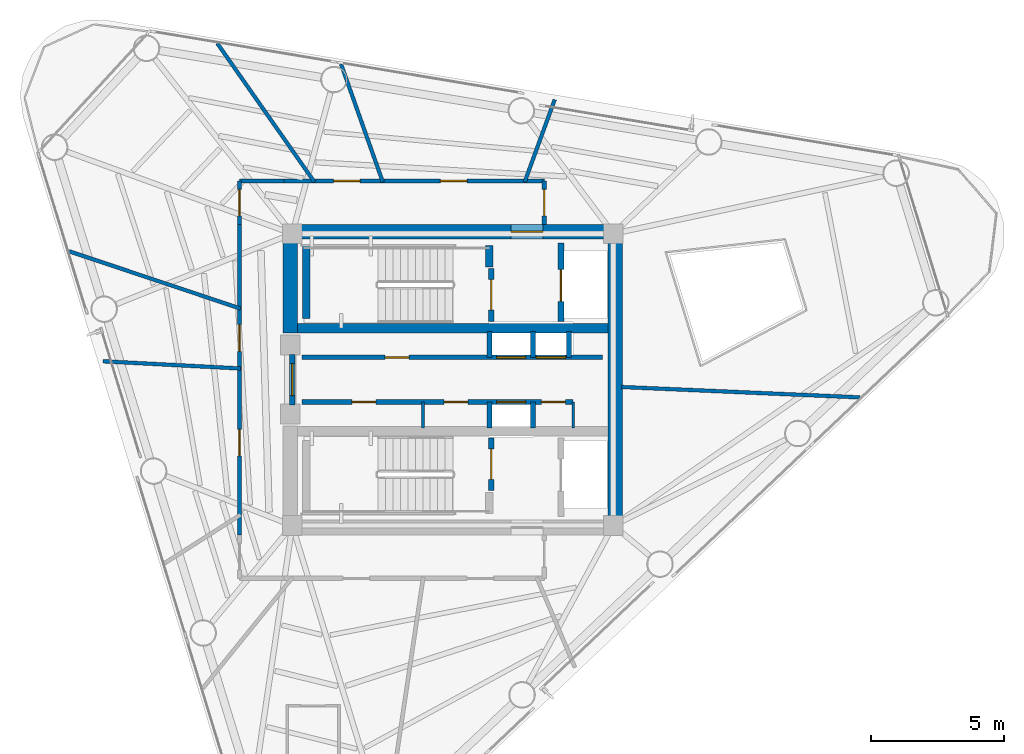
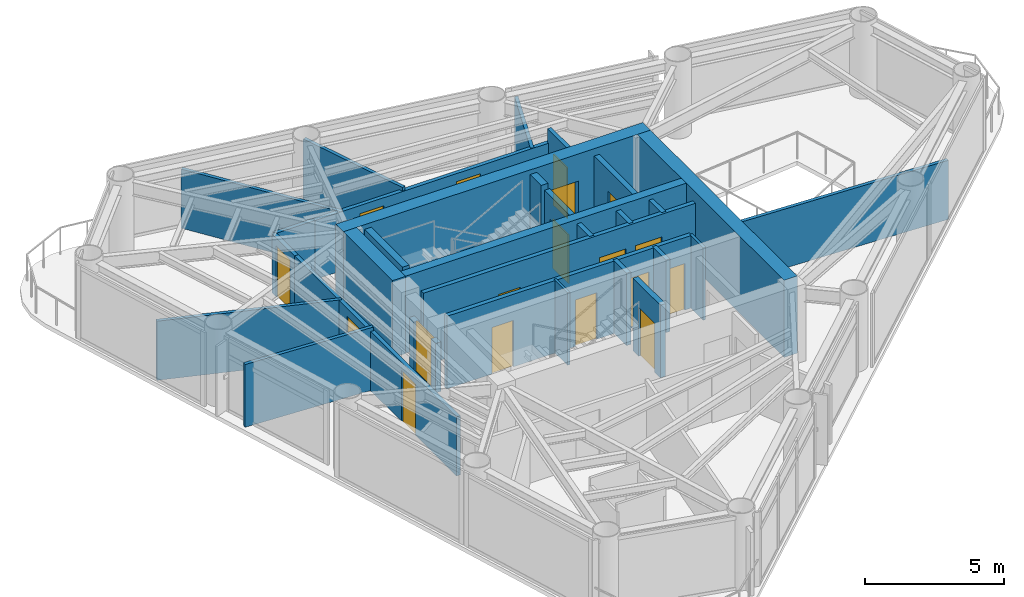
# One storey, part 6 of 9: 30 walls, 18 doors, 18 openings.
"""IFC4 building model written with IfcOpenShell, lengths in metres."""

from ifc_helpers import new_model, si_unit, direction, frame, frame_2d, origin, place, context, subcontext, project, spatial, rectangle, extrude, material, layer, layer_set, type_object, element, fill, save


model = new_model("IFC4")

# Units and contexts
model_context = context("Model", 3, precision=1e-05, world=origin(), true_north=direction((0.0, 1.0)))
body_context = subcontext(model_context, "Body", "Model", "MODEL_VIEW")
ifc_project = project(units=[si_unit("LENGTHUNIT", "METRE"), si_unit("AREAUNIT", "SQUARE_METRE"), si_unit("VOLUMEUNIT", "CUBIC_METRE"), si_unit("PLANEANGLEUNIT", "RADIAN"), si_unit("MASSUNIT", "GRAM", prefix="KILO")], contexts=[model_context])

# Site, building, storey
site_placement = place(None, origin())
site = spatial("IfcSite", under=ifc_project, at=site_placement, CompositionType="ELEMENT")
building_placement = place(site_placement, origin())
building = spatial("IfcBuilding", under=site, at=building_placement, Name="Yunling Apex Tower", CompositionType="ELEMENT")
storey_placement = place(building_placement, frame((0.0, 0.0, 232.050048828125)))
storey = spatial("IfcBuildingStorey", under=building, at=storey_placement, Name="L56", CompositionType="ELEMENT", Elevation=232.050048828125)

# Wall, opening, door
ifc_material_1 = material(Name="Concrete C40", Category="concrete")
ifc_layer_1 = layer(ifc_material_1, 0.550048828125)
ifc_layer_set_1 = layer_set([ifc_layer_1], Name="Concrete C40")
wall_type_1 = type_object("IfcWallType", Name="WL-COR-3", PredefinedType="SHEAR", material=ifc_layer_set_1)
wall_1_placement = place(storey_placement, frame((-6.39990234375, 5.574951171875, 0.0), z_axis=(0.0, 0.0, 1.0), x_axis=(1.0, 0.0, 0.0)))
wall_1 = element("IfcWall", 1, at=wall_1_placement, inside=storey, type_object=wall_type_1, Name="L56 North Core Shear Wall", PredefinedType="SHEAR", context=body_context, shape_type="SweptSolid", body=[
    extrude(rectangle(XDim=12.7998046875, YDim=0.550048828125, at=frame_2d((6.39990234375, 0.0))), origin(), (0.0, 0.0, 1.0), 3.39990234375),
])
opening_1_placement = place(wall_1_placement, frame((8.60009765625, 0.0, 0.0)))
opening_1 = element("IfcOpeningElement", 2, at=opening_1_placement, cuts=wall_1, Name="Opening DR-FFL-1", PredefinedType="OPENING", context=body_context, shape_type="SweptSolid", body=[
    extrude(rectangle(XDim=1.199951171875, YDim=2.199951171875, at=frame_2d((0.60009765625, 1.10009765625))), frame((0.0, 0.28515625, 0.0), z_axis=(0.0, -1.0, 0.0), x_axis=(1.0, 0.0, 0.0)), (0.0, 0.0, 1.0), 0.570068359375),
])
ifc_material_2 = material(Name="Steel Q355B", Category="steel")
door_type_1 = type_object("IfcDoorType", Name="DR-FFL-1", OperationType="NOTDEFINED", PredefinedType="DOOR", material=ifc_material_2)
door_1_placement = place(opening_1_placement, origin())
door_1 = element("IfcDoor", 3, at=door_1_placement, inside=storey, type_object=door_type_1, Name="L56 North Firefighting Lobby Door", OperationType="SINGLE_SWING_LEFT", OverallHeight=2.199951171875, OverallWidth=1.199951171875, PredefinedType="DOOR", context=body_context, shape_type="SweptSolid", body=[
    extrude(rectangle(XDim=1.199951171875, YDim=2.199951171875, at=frame_2d((0.60009765625, 1.10009765625))), frame((0.0, 0.02490234375, 0.0), z_axis=(0.0, -1.0, 0.0), x_axis=(1.0, 0.0, 0.0)), (0.0, 0.0, 1.0), 0.050048828125),
])
fill(opening_1, door_1)

# Walls
wall_2_placement = place(storey_placement, frame((6.125, -5.300048828125, 0.0), z_axis=(0.0, 0.0, 1.0), x_axis=(0.0, 1.0, 0.0)))
element("IfcWall", 4, at=wall_2_placement, inside=storey, type_object=wall_type_1, Name="L56 East Core Shear Wall", PredefinedType="SHEAR", context=body_context, shape_type="SweptSolid", body=[
    extrude(rectangle(XDim=10.60009765625, YDim=0.550048828125, at=frame_2d((5.300048828125, 0.0))), origin(), (0.0, 0.0, 1.0), 3.39990234375),
])
wall_3_placement = place(storey_placement, frame((-6.125, 1.75, 0.0), z_axis=(0.0, 0.0, 1.0), x_axis=(0.0, 1.0, 0.0)))
element("IfcWall", 5, at=wall_3_placement, inside=storey, type_object=wall_type_1, Name="L56 West-North Core Shear Wall", PredefinedType="SHEAR", context=body_context, shape_type="SweptSolid", body=[
    extrude(rectangle(XDim=3.550048828125, YDim=0.550048828125, at=frame_2d((1.77490234375, 0.0))), origin(), (0.0, 0.0, 1.0), 3.39990234375),
])
ifc_layer_2 = layer(ifc_material_1, 0.360107421875)
ifc_layer_set_2 = layer_set([ifc_layer_2], Name="Concrete C40")
wall_type_2 = type_object("IfcWallType", Name="WL-COR-4", PredefinedType="SHEAR", material=ifc_layer_set_2)
wall_4_placement = place(storey_placement, frame((-5.85009765625, 1.93994140625, 0.0), z_axis=(0.0, 0.0, 1.0), x_axis=(1.0, 0.0, 0.0)))
element("IfcWall", 6, at=wall_4_placement, inside=storey, type_object=wall_type_2, Name="L56 North Internal Core Shear Wall", PredefinedType="SHEAR", context=body_context, shape_type="SweptSolid", body=[
    extrude(rectangle(XDim=11.7001953125, YDim=0.360107421875, at=frame_2d((5.85009765625, 0.0))), origin(), (0.0, 0.0, 1.0), 3.39990234375),
])
ifc_layer_3 = layer(ifc_material_1, 0.280029296875)
ifc_layer_set_3 = layer_set([ifc_layer_3], Name="Concrete C40")
wall_type_3 = type_object("IfcWallType", Name="WL-COR-8", PredefinedType="SHEAR", material=ifc_layer_set_3)
wall_5_placement = place(storey_placement, frame((-5.52001953125, 2.300048828125, 0.0), z_axis=(0.0, 0.0, 1.0), x_axis=(0.0, 1.0, 0.0)))
element("IfcWall", 7, at=wall_5_placement, inside=storey, type_object=wall_type_3, Name="L56 ST-1 West Landing Bearing Wall", PredefinedType="SHEAR", context=body_context, shape_type="SweptSolid", body=[
    extrude(rectangle(XDim=2.75, YDim=0.280029296875, at=frame_2d((1.375, 0.0))), origin(), (0.0, 0.0, 1.0), 3.39990234375),
])
wall_6_placement = place(storey_placement, frame((1.3798828125, 4.25, 0.0), z_axis=(0.0, 0.0, 1.0), x_axis=(0.0, 1.0, 0.0)))
element("IfcWall", 8, at=wall_6_placement, inside=storey, type_object=wall_type_3, Name="L56 ST-1 East Landing Bearing Pier", PredefinedType="SHEAR", context=body_context, shape_type="SweptSolid", body=[
    extrude(rectangle(XDim=0.800048828125, YDim=0.280029296875, at=frame_2d((0.39990234375, 0.0))), origin(), (0.0, 0.0, 1.0), 3.39990234375),
])

# Wall, opening, door
ifc_material_3 = material(Name="Gypsum board acoustic partition")
ifc_layer_4 = layer(ifc_material_3, 0.159912109375)
ifc_layer_set_4 = layer_set([ifc_layer_4], Name="Gypsum board acoustic partition")
wall_type_4 = type_object("IfcWallType", Name="WL-PRT-1", PredefinedType="PARTITIONING", material=ifc_layer_set_4)
wall_7_placement = place(storey_placement, frame((-8.0400390625, 5.85009765625, 0.0), z_axis=(0.0, 0.0, 1.0), x_axis=(0.0, 1.0, 0.0)))
wall_7 = element("IfcWall", 9, at=wall_7_placement, inside=storey, type_object=wall_type_4, Name="WL-CORR-L56-01", PredefinedType="PARTITIONING", context=body_context, shape_type="SweptSolid", body=[
    extrude(rectangle(XDim=1.639892578125, YDim=0.159912109375, at=frame_2d((0.81982421875, 0.0))), origin(), (0.0, 0.0, 1.0), 2.60498046875),
])
opening_2_placement = place(wall_7_placement, frame((0.320068359375, 0.0, 0.0)))
opening_2 = element("IfcOpeningElement", 10, at=opening_2_placement, cuts=wall_7, Name="Opening DR-OFF-1", PredefinedType="OPENING", context=body_context, shape_type="SweptSolid", body=[
    extrude(rectangle(XDim=1.0, YDim=2.25, at=frame_2d((0.5, 1.125))), frame((0.0, 0.08984375, 0.0), z_axis=(0.0, -1.0, 0.0), x_axis=(1.0, 0.0, 0.0)), (0.0, 0.0, 1.0), 0.179931640625),
])
ifc_material_4 = material(Name="Bronze anodised aluminium", Category="aluminium")
door_type_2 = type_object("IfcDoorType", Name="DR-OFF-1", OperationType="NOTDEFINED", PredefinedType="DOOR", material=ifc_material_4)
door_2_placement = place(opening_2_placement, origin())
door_2 = element("IfcDoor", 11, at=door_2_placement, inside=storey, type_object=door_type_2, Name="L56 Residents Sky Reading Lounge Door", OperationType="SINGLE_SWING_RIGHT", OverallHeight=2.25, OverallWidth=1.0, PredefinedType="DOOR", context=body_context, shape_type="SweptSolid", body=[
    extrude(rectangle(XDim=1.0, YDim=2.25, at=frame_2d((0.5, 1.125))), frame((0.0, 0.02490234375, 0.0), z_axis=(0.0, -1.0, 0.0), x_axis=(1.0, 0.0, 0.0)), (0.0, 0.0, 1.0), 0.050048828125),
])
fill(opening_2, door_2)

# Wall
wall_8_placement = place(storey_placement, frame((-8.0400390625, 7.489990234375, 0.0), z_axis=(0.0, 0.0, 1.0), x_axis=(1.0, 0.0, 0.0)))
element("IfcWall", 12, at=wall_8_placement, inside=storey, type_object=wall_type_4, Name="WL-CORR-L56-02", PredefinedType="PARTITIONING", context=body_context, shape_type="SweptSolid", body=[
    extrude(rectangle(XDim=1.679931640625, YDim=0.159912109375, at=frame_2d((0.83984375, 0.0))), origin(), (0.0, 0.0, 1.0), 2.60498046875),
])

# Wall, openings, doors
wall_9_placement = place(storey_placement, frame((-6.360107421875, 7.489990234375, 0.0), z_axis=(0.0, 0.0, 1.0), x_axis=(1.0, 0.0, 0.0)))
wall_9 = element("IfcWall", 13, at=wall_9_placement, inside=storey, type_object=wall_type_4, Name="WL-CORR-L56-03", PredefinedType="PARTITIONING", context=body_context, shape_type="SweptSolid", body=[
    extrude(rectangle(XDim=9.81005859375, YDim=0.159912109375, at=frame_2d((4.905029296875, 0.0))), origin(), (0.0, 0.0, 1.0), 2.60498046875),
])
opening_3_placement = place(wall_9_placement, frame((1.866943359375, 0.0, 0.0)))
opening_3 = element("IfcOpeningElement", 14, at=opening_3_placement, cuts=wall_9, Name="Opening DR-OFF-1", PredefinedType="OPENING", context=body_context, shape_type="SweptSolid", body=[
    extrude(rectangle(XDim=1.0, YDim=2.25, at=frame_2d((0.5, 1.125))), frame((0.0, 0.08984375, 0.0), z_axis=(0.0, -1.0, 0.0), x_axis=(1.0, 0.0, 0.0)), (0.0, 0.0, 1.0), 0.179931640625),
])
opening_4_placement = place(wall_9_placement, frame((5.897216796875, 0.0, 0.0)))
opening_4 = element("IfcOpeningElement", 15, at=opening_4_placement, cuts=wall_9, Name="Opening DR-OFF-1", PredefinedType="OPENING", context=body_context, shape_type="SweptSolid", body=[
    extrude(rectangle(XDim=1.0, YDim=2.25, at=frame_2d((0.5, 1.125))), frame((0.0, 0.08984375, 0.0), z_axis=(0.0, -1.0, 0.0), x_axis=(1.0, 0.0, 0.0)), (0.0, 0.0, 1.0), 0.179931640625),
])
door_3_placement = place(opening_3_placement, origin())
door_3 = element("IfcDoor", 16, at=door_3_placement, inside=storey, type_object=door_type_2, Name="L56 Residents Fitness Club Door", OperationType="SINGLE_SWING_LEFT", OverallHeight=2.25, OverallWidth=1.0, PredefinedType="DOOR", context=body_context, shape_type="SweptSolid", body=[
    extrude(rectangle(XDim=1.0, YDim=2.25, at=frame_2d((0.5, 1.125))), frame((0.0, 0.02490234375, 0.0), z_axis=(0.0, -1.0, 0.0), x_axis=(1.0, 0.0, 0.0)), (0.0, 0.0, 1.0), 0.050048828125),
])
fill(opening_3, door_3)
door_4_placement = place(opening_4_placement, origin())
door_4 = element("IfcDoor", 17, at=door_4_placement, inside=storey, type_object=door_type_2, Name="L56 Residents Sky Reading Lounge Door", OperationType="SINGLE_SWING_RIGHT", OverallHeight=2.25, OverallWidth=1.0, PredefinedType="DOOR", context=body_context, shape_type="SweptSolid", body=[
    extrude(rectangle(XDim=1.0, YDim=2.25, at=frame_2d((0.5, 1.125))), frame((0.0, 0.02490234375, 0.0), z_axis=(0.0, -1.0, 0.0), x_axis=(1.0, 0.0, 0.0)), (0.0, 0.0, 1.0), 0.050048828125),
])
fill(opening_4, door_4)

# Wall, opening, door
wall_10_placement = place(storey_placement, frame((3.449951171875, 7.489990234375, 0.0), z_axis=(0.0, 0.0, 1.0), x_axis=(0.0, -1.0, 0.0)))
wall_10 = element("IfcWall", 18, at=wall_10_placement, inside=storey, type_object=wall_type_4, Name="WL-CORR-L56-04", PredefinedType="PARTITIONING", context=body_context, shape_type="SweptSolid", body=[
    extrude(rectangle(XDim=1.639892578125, YDim=0.159912109375, at=frame_2d((0.81982421875, 0.0))), origin(), (0.0, 0.0, 1.0), 3.199951171875),
])
opening_5_placement = place(wall_10_placement, frame((0.320068359375, 0.0, 0.0)))
opening_5 = element("IfcOpeningElement", 19, at=opening_5_placement, cuts=wall_10, Name="Opening DR-OFF-1", PredefinedType="OPENING", context=body_context, shape_type="SweptSolid", body=[
    extrude(rectangle(XDim=1.0, YDim=2.25, at=frame_2d((0.5, 1.125))), frame((0.0, 0.08984375, 0.0), z_axis=(0.0, -1.0, 0.0), x_axis=(1.0, 0.0, 0.0)), (0.0, 0.0, 1.0), 0.179931640625),
])
door_5_placement = place(opening_5_placement, origin())
door_5 = element("IfcDoor", 20, at=door_5_placement, inside=storey, type_object=door_type_2, Name="L56 Residents Fitness Club Door", OperationType="SINGLE_SWING_LEFT", OverallHeight=2.25, OverallWidth=1.0, PredefinedType="DOOR", context=body_context, shape_type="SweptSolid", body=[
    extrude(rectangle(XDim=1.0, YDim=2.25, at=frame_2d((0.5, 1.125))), frame((0.0, 0.02490234375, 0.0), z_axis=(0.0, -1.0, 0.0), x_axis=(1.0, 0.0, 0.0)), (0.0, 0.0, 1.0), 0.050048828125),
])
fill(opening_5, door_5)

# Wall, openings, doors
wall_11_placement = place(storey_placement, frame((-8.0400390625, -5.85009765625, 0.0), z_axis=(0.0, 0.0, 1.0), x_axis=(0.0, 1.0, 0.0)))
wall_11 = element("IfcWall", 21, at=wall_11_placement, inside=storey, type_object=wall_type_4, Name="WL-CORR-L56-09", PredefinedType="PARTITIONING", context=body_context, shape_type="SweptSolid", body=[
    extrude(rectangle(XDim=11.7001953125, YDim=0.159912109375, at=frame_2d((5.85009765625, 0.0))), origin(), (0.0, 0.0, 1.0), 2.60498046875),
])
opening_6_placement = place(wall_11_placement, frame((2.97705078125, 0.0, 0.0)))
opening_6 = element("IfcOpeningElement", 22, at=opening_6_placement, cuts=wall_11, Name="Opening DR-OFF-1", PredefinedType="OPENING", context=body_context, shape_type="SweptSolid", body=[
    extrude(rectangle(XDim=1.0, YDim=2.25, at=frame_2d((0.5, 1.125))), frame((0.0, 0.08984375, 0.0), z_axis=(0.0, -1.0, 0.0), x_axis=(1.0, 0.0, 0.0)), (0.0, 0.0, 1.0), 0.179931640625),
])
opening_7_placement = place(wall_11_placement, frame((6.91943359375, 0.0, 0.0)))
opening_7 = element("IfcOpeningElement", 23, at=opening_7_placement, cuts=wall_11, Name="Opening DR-OFF-1", PredefinedType="OPENING", context=body_context, shape_type="SweptSolid", body=[
    extrude(rectangle(XDim=1.0, YDim=2.25, at=frame_2d((0.5, 1.125))), frame((0.0, 0.08984375, 0.0), z_axis=(0.0, -1.0, 0.0), x_axis=(1.0, 0.0, 0.0)), (0.0, 0.0, 1.0), 0.179931640625),
])
door_6_placement = place(opening_6_placement, origin())
door_6 = element("IfcDoor", 24, at=door_6_placement, inside=storey, type_object=door_type_2, Name="L56 Residents Sky Reading Lounge Door", OperationType="SINGLE_SWING_RIGHT", OverallHeight=2.25, OverallWidth=1.0, PredefinedType="DOOR", context=body_context, shape_type="SweptSolid", body=[
    extrude(rectangle(XDim=1.0, YDim=2.25, at=frame_2d((0.5, 1.125))), frame((0.0, 0.02490234375, 0.0), z_axis=(0.0, -1.0, 0.0), x_axis=(1.0, 0.0, 0.0)), (0.0, 0.0, 1.0), 0.050048828125),
])
fill(opening_6, door_6)
door_7_placement = place(opening_7_placement, origin())
door_7 = element("IfcDoor", 25, at=door_7_placement, inside=storey, type_object=door_type_2, Name="L56 Residents Fitness Club Door", OperationType="SINGLE_SWING_LEFT", OverallHeight=2.25, OverallWidth=1.0, PredefinedType="DOOR", context=body_context, shape_type="SweptSolid", body=[
    extrude(rectangle(XDim=1.0, YDim=2.25, at=frame_2d((0.5, 1.125))), frame((0.0, 0.02490234375, 0.0), z_axis=(0.0, -1.0, 0.0), x_axis=(1.0, 0.0, 0.0)), (0.0, 0.0, 1.0), 0.050048828125),
])
fill(opening_7, door_7)

# Walls
ifc_layer_5 = layer(ifc_material_3, 0.139892578125)
ifc_layer_set_5 = layer_set([ifc_layer_5], Name="Gypsum board acoustic partition")
wall_type_5 = type_object("IfcWallType", Name="WL-PRT-2", PredefinedType="PARTITIONING", material=ifc_layer_set_5)
wall_12_placement = place(storey_placement, frame((6.360107421875, -0.277587890625, 0.0), z_axis=(0.0, 0.0, 1.0), x_axis=(0.99904773846, -0.043630451279, 0.0)))
element("IfcWall", 26, at=wall_12_placement, inside=storey, type_object=wall_type_5, Name="WL-RAD-L56-01", PredefinedType="PARTITIONING", context=body_context, shape_type="SweptSolid", body=[
    extrude(rectangle(XDim=8.9921875, YDim=0.139892578125, at=frame_2d((4.49609375, 0.0))), origin(), (0.0, 0.0, 1.0), 2.60498046875),
])
wall_13_placement = place(storey_placement, frame((2.711669921875, 7.449951171875, 0.0), z_axis=(0.0, 0.0, 1.0), x_axis=(0.341974588874, 0.9397092, 0.0)))
element("IfcWall", 27, at=wall_13_placement, inside=storey, type_object=wall_type_5, Name="WL-RAD-L56-02", PredefinedType="PARTITIONING", context=body_context, shape_type="SweptSolid", body=[
    extrude(rectangle(XDim=3.3017578125, YDim=0.139892578125, at=frame_2d((1.65087890625, 0.0))), origin(), (0.0, 0.0, 1.0), 2.60498046875),
])
wall_14_placement = place(storey_placement, frame((-2.63818359375, 7.449951171875, 0.0), z_axis=(0.0, 0.0, 1.0), x_axis=(-0.333819345572, 0.942637069355, 0.0)))
element("IfcWall", 28, at=wall_14_placement, inside=storey, type_object=wall_type_5, Name="WL-RAD-L56-03", PredefinedType="PARTITIONING", context=body_context, shape_type="SweptSolid", body=[
    extrude(rectangle(XDim=4.715087890625, YDim=0.139892578125, at=frame_2d((2.357421875, 0.0))), origin(), (0.0, 0.0, 1.0), 2.764892578125),
])
wall_15_placement = place(storey_placement, frame((-5.216552734375, 7.449951171875, 0.0), z_axis=(0.0, 0.0, 1.0), x_axis=(-0.573578024676, 0.819150932129, 0.0)))
element("IfcWall", 29, at=wall_15_placement, inside=storey, type_object=wall_type_5, Name="WL-RAD-L56-04", PredefinedType="PARTITIONING", context=body_context, shape_type="SweptSolid", body=[
    extrude(rectangle(XDim=6.37353515625, YDim=0.139892578125, at=frame_2d((3.186767578125, 0.0))), origin(), (0.0, 0.0, 1.0), 2.60498046875),
])
wall_16_placement = place(storey_placement, frame((-8.0, 2.6767578125, 0.0), z_axis=(0.0, 0.0, 1.0), x_axis=(-0.948324112853, 0.317303288639, 0.0)))
element("IfcWall", 30, at=wall_16_placement, inside=storey, type_object=wall_type_5, Name="WL-RAD-L56-05", PredefinedType="PARTITIONING", context=body_context, shape_type="SweptSolid", body=[
    extrude(rectangle(XDim=6.80859375, YDim=0.139892578125, at=frame_2d((3.404296875, 0.0))), origin(), (0.0, 0.0, 1.0), 2.60498046875),
])
wall_17_placement = place(storey_placement, frame((-8.0, 0.419189453125, 0.0), z_axis=(0.0, 0.0, 1.0), x_axis=(-0.998629485047, 0.052336904702, 0.0)))
element("IfcWall", 31, at=wall_17_placement, inside=storey, type_object=wall_type_5, Name="WL-RAD-L56-06", PredefinedType="PARTITIONING", context=body_context, shape_type="SweptSolid", body=[
    extrude(rectangle(XDim=5.196533203125, YDim=0.139892578125, at=frame_2d((2.59814453125, 0.0))), origin(), (0.0, 0.0, 1.0), 2.764892578125),
])
ifc_layer_6 = layer(ifc_material_3, 0.10009765625)
ifc_layer_set_6 = layer_set([ifc_layer_6], Name="Gypsum board acoustic partition")
wall_type_6 = type_object("IfcWallType", Name="WL-PRT-4", PredefinedType="PARTITIONING", material=ifc_layer_set_6)
for number, where, z_axis, x_axis, name in (
    (32, (-1.1201171875, -1.820068359375, 0.0), (0.0, 0.0, 1.0), (0.0, 1.0, 0.0), "WL-RECLMA-S-L56"),
    (33, (4.5400390625, -1.820068359375, 0.0), (0.0, 0.0, 1.0), (0.0, 1.0, 0.0), "WL-KASE-E-L56"),
):
    element("IfcWall", number, at=place(storey_placement, frame(where, z_axis=z_axis, x_axis=x_axis)), inside=storey, type_object=wall_type_6, Name=name, PredefinedType="PARTITIONING", context=body_context, shape_type="SweptSolid", body=[
        extrude(rectangle(XDim=0.97998046875, YDim=0.10009765625, at=frame_2d((0.489990234375, 0.0))), origin(), (0.0, 0.0, 1.0), 3.199951171875),
    ])

# Wall, opening, door
ifc_material_5 = material(Name="Autoclaved aerated concrete masonry", Category="masonry")
ifc_layer_7 = layer(ifc_material_5, 0.219970703125)
ifc_layer_set_7 = layer_set([ifc_layer_7], Name="Autoclaved aerated concrete masonry")
wall_type_7 = type_object("IfcWallType", Name="WL-SHF-1", PredefinedType="PLUMBINGWALL", material=ifc_layer_set_7)
wall_18_placement = place(storey_placement, frame((-6.050048828125, -0.949951171875, 0.0), z_axis=(0.0, 0.0, 1.0), x_axis=(0.0, 1.0, 0.0)))
wall_18 = element("IfcWall", 34, at=wall_18_placement, inside=storey, type_object=wall_type_7, Name="WL-COR-WPORT-L56", PredefinedType="PLUMBINGWALL", context=body_context, shape_type="SweptSolid", body=[
    extrude(rectangle(XDim=1.89990234375, YDim=0.219970703125, at=frame_2d((0.949951171875, 0.0))), origin(), (0.0, 0.0, 1.0), 2.179931640625),
])
opening_8_placement = place(wall_18_placement, frame((0.35009765625, 0.0, 0.0)))
opening_8 = element("IfcOpeningElement", 35, at=opening_8_placement, cuts=wall_18, Name="Opening DR-FFL-1", PredefinedType="OPENING", context=body_context, shape_type="SweptSolid", body=[
    extrude(rectangle(XDim=1.199951171875, YDim=2.199951171875, at=frame_2d((0.60009765625, 1.10009765625))), frame((0.0, 0.1201171875, 0.0), z_axis=(0.0, -1.0, 0.0), x_axis=(1.0, 0.0, 0.0)), (0.0, 0.0, 1.0), 0.239990234375),
])
door_8_placement = place(opening_8_placement, origin())
door_8 = element("IfcDoor", 36, at=door_8_placement, inside=storey, type_object=door_type_1, Name="L56 Passenger Lift Lobby Entrance Door", OperationType="SINGLE_SWING_RIGHT", OverallHeight=2.199951171875, OverallWidth=1.199951171875, PredefinedType="DOOR", context=body_context, shape_type="SweptSolid", body=[
    extrude(rectangle(XDim=1.199951171875, YDim=2.199951171875, at=frame_2d((0.60009765625, 1.10009765625))), frame((0.0, 0.02490234375, 0.0), z_axis=(0.0, -1.0, 0.0), x_axis=(1.0, 0.0, 0.0)), (0.0, 0.0, 1.0), 0.050048828125),
])
fill(opening_8, door_8)

wall_19_placement = place(storey_placement, frame((1.449951171875, 2.199951171875, 0.0), z_axis=(0.0, 0.0, 1.0), x_axis=(0.0, 1.0, 0.0)))
wall_19 = element("IfcWall", 37, at=wall_19_placement, inside=storey, type_object=wall_type_7, Name="WL-ST1-E-L56", PredefinedType="PLUMBINGWALL", context=body_context, shape_type="SweptSolid", body=[
    extrude(rectangle(XDim=1.97998046875, YDim=0.219970703125, at=frame_2d((0.989990234375, 0.0))), origin(), (0.0, 0.0, 1.0), 3.199951171875),
])
opening_9_placement = place(wall_19_placement, frame((0.419921875, 0.0, 0.0)))
opening_9 = element("IfcOpeningElement", 38, at=opening_9_placement, cuts=wall_19, Name="Opening DR-ST-1", PredefinedType="OPENING", context=body_context, shape_type="SweptSolid", body=[
    extrude(rectangle(XDim=1.14990234375, YDim=2.14990234375, at=frame_2d((0.574951171875, 1.074951171875))), frame((0.0, 0.1201171875, 0.0), z_axis=(0.0, -1.0, 0.0), x_axis=(1.0, 0.0, 0.0)), (0.0, 0.0, 1.0), 0.239990234375),
])
door_type_3 = type_object("IfcDoorType", Name="DR-ST-1", OperationType="NOTDEFINED", PredefinedType="DOOR", material=ifc_material_2)
door_9_placement = place(opening_9_placement, origin())
door_9 = element("IfcDoor", 39, at=door_9_placement, inside=storey, type_object=door_type_3, Name="L56 Stair ST-1 Fire Door", OperationType="SINGLE_SWING_LEFT", OverallHeight=2.14990234375, OverallWidth=1.14990234375, PredefinedType="DOOR", context=body_context, shape_type="SweptSolid", body=[
    extrude(rectangle(XDim=1.14990234375, YDim=2.14990234375, at=frame_2d((0.574951171875, 1.074951171875))), frame((0.0, 0.02490234375, 0.0), z_axis=(0.0, -1.0, 0.0), x_axis=(1.0, 0.0, 0.0)), (0.0, 0.0, 1.0), 0.050048828125),
])
fill(opening_9, door_9)

wall_20_placement = place(storey_placement, frame((4.080078125, 2.199951171875, 0.0), z_axis=(0.0, 0.0, 1.0), x_axis=(0.0, 1.0, 0.0)))
wall_20 = element("IfcWall", 40, at=wall_20_placement, inside=storey, type_object=wall_type_7, Name="WL-FFL1-W-L56", PredefinedType="PLUMBINGWALL", context=body_context, shape_type="SweptSolid", body=[
    extrude(rectangle(XDim=2.949951171875, YDim=0.219970703125, at=frame_2d((1.47509765625, 0.0))), origin(), (0.0, 0.0, 1.0), 3.199951171875),
])
opening_10_placement = place(wall_20_placement, frame((0.75, 0.0, 0.0)))
opening_10 = element("IfcOpeningElement", 41, at=opening_10_placement, cuts=wall_20, Name="Opening LD-FFL-1", PredefinedType="OPENING", context=body_context, shape_type="SweptSolid", body=[
    extrude(rectangle(XDim=1.199951171875, YDim=2.25, at=frame_2d((0.60009765625, 1.125))), frame((0.0, 0.1201171875, 0.0), z_axis=(0.0, -1.0, 0.0), x_axis=(1.0, 0.0, 0.0)), (0.0, 0.0, 1.0), 0.239990234375),
])
door_type_4 = type_object("IfcDoorType", Name="LD-FFL-1", OperationType="DOUBLE_DOOR_SLIDING", PredefinedType="DOOR", material=ifc_material_2)
door_10_placement = place(opening_10_placement, origin())
door_10 = element("IfcDoor", 42, at=door_10_placement, inside=storey, type_object=door_type_4, Name="L56 Lift FFL-1 Landing Door", OperationType="DOUBLE_DOOR_SLIDING", OverallHeight=2.25, OverallWidth=1.199951171875, PredefinedType="DOOR", context=body_context, shape_type="SweptSolid", body=[
    extrude(rectangle(XDim=1.199951171875, YDim=2.25, at=frame_2d((0.60009765625, 1.125))), frame((0.0, 0.02490234375, 0.0), z_axis=(0.0, -1.0, 0.0), x_axis=(1.0, 0.0, 0.0)), (0.0, 0.0, 1.0), 0.050048828125),
])
fill(opening_10, door_10)

wall_21_placement = place(storey_placement, frame((1.449951171875, -4.179931640625, 0.0), z_axis=(0.0, 0.0, 1.0), x_axis=(0.0, 1.0, 0.0)))
wall_21 = element("IfcWall", 43, at=wall_21_placement, inside=storey, type_object=wall_type_7, Name="WL-ST2-E-L56", PredefinedType="PLUMBINGWALL", context=body_context, shape_type="SweptSolid", body=[
    extrude(rectangle(XDim=1.97998046875, YDim=0.219970703125, at=frame_2d((0.989990234375, 0.0))), origin(), (0.0, 0.0, 1.0), 3.199951171875),
])
opening_11_placement = place(wall_21_placement, frame((0.419921875, 0.0, 0.0)))
opening_11 = element("IfcOpeningElement", 44, at=opening_11_placement, cuts=wall_21, Name="Opening DR-ST-1", PredefinedType="OPENING", context=body_context, shape_type="SweptSolid", body=[
    extrude(rectangle(XDim=1.14990234375, YDim=2.14990234375, at=frame_2d((0.574951171875, 1.074951171875))), frame((0.0, 0.1201171875, 0.0), z_axis=(0.0, -1.0, 0.0), x_axis=(1.0, 0.0, 0.0)), (0.0, 0.0, 1.0), 0.239990234375),
])
door_11_placement = place(opening_11_placement, origin())
door_11 = element("IfcDoor", 45, at=door_11_placement, inside=storey, type_object=door_type_3, Name="L56 Stair ST-2 Fire Door", OperationType="SINGLE_SWING_RIGHT", OverallHeight=2.14990234375, OverallWidth=1.14990234375, PredefinedType="DOOR", context=body_context, shape_type="SweptSolid", body=[
    extrude(rectangle(XDim=1.14990234375, YDim=2.14990234375, at=frame_2d((0.574951171875, 1.074951171875))), frame((0.0, 0.02490234375, 0.0), z_axis=(0.0, -1.0, 0.0), x_axis=(1.0, 0.0, 0.0)), (0.0, 0.0, 1.0), 0.050048828125),
])
fill(opening_11, door_11)

# Walls
ifc_layer_8 = layer(ifc_material_5, 0.179931640625)
ifc_layer_set_8 = layer_set([ifc_layer_8], Name="Autoclaved aerated concrete masonry")
wall_type_8 = type_object("IfcWallType", Name="WL-SHF-2", PredefinedType="PLUMBINGWALL", material=ifc_layer_set_8)
for number, where, z_axis, x_axis, name in (
    (46, (1.3798828125, 0.840087890625, 0.0), (0.0, 0.0, 1.0), (0.0, 1.0, 0.0), "WL-BNK-MH-N-L56"),
    (47, (1.3798828125, -1.820068359375, 0.0), (0.0, 0.0, 1.0), (0.0, 1.0, 0.0), "WL-BNK-MH-S-L56"),
    (48, (3.02001953125, 0.840087890625, 0.0), (0.0, 0.0, 1.0), (0.0, 1.0, 0.0), "WL-DIV-H13-L56"),
    (49, (4.3798828125, 0.840087890625, 0.0), (0.0, 0.0, 1.0), (0.0, 1.0, 0.0), "WL-END-H3E-L56"),
    (50, (3.02001953125, -1.820068359375, 0.0), (0.0, 0.0, 1.0), (0.0, 1.0, 0.0), "WL-END-H2E-L56"),
):
    element("IfcWall", number, at=place(storey_placement, frame(where, z_axis=z_axis, x_axis=x_axis)), inside=storey, type_object=wall_type_8, Name=name, PredefinedType="PLUMBINGWALL", context=body_context, shape_type="SweptSolid", body=[
        extrude(rectangle(XDim=0.97998046875, YDim=0.179931640625, at=frame_2d((0.489990234375, 0.0))), origin(), (0.0, 0.0, 1.0), 3.199951171875),
    ])

# Wall, openings, doors
wall_22_placement = place(storey_placement, frame((-5.679931640625, 0.840087890625, 0.0), z_axis=(0.0, 0.0, 1.0), x_axis=(1.0, 0.0, 0.0)))
wall_22 = element("IfcWall", 51, at=wall_22_placement, inside=storey, type_object=wall_type_8, Name="WL-LOB-N-L56", PredefinedType="PLUMBINGWALL", context=body_context, shape_type="SweptSolid", body=[
    extrude(rectangle(XDim=11.329833984375, YDim=0.179931640625, at=frame_2d((5.6650390625, 0.0))), origin(), (0.0, 0.0, 1.0), 3.199951171875),
])
opening_12_placement = place(wall_22_placement, frame((3.1298828125, 0.0, 0.0)))
opening_12 = element("IfcOpeningElement", 52, at=opening_12_placement, cuts=wall_22, Name="Opening DR-SHF-1", PredefinedType="OPENING", context=body_context, shape_type="SweptSolid", body=[
    extrude(rectangle(XDim=0.89990234375, YDim=2.050048828125, at=frame_2d((0.449951171875, 1.02490234375))), frame((0.0, 0.10009765625, 0.0), z_axis=(0.0, -1.0, 0.0), x_axis=(1.0, 0.0, 0.0)), (0.0, 0.0, 1.0), 0.199951171875),
])
opening_13_placement = place(wall_22_placement, frame((7.330078125, 0.0, 0.0)))
opening_13 = element("IfcOpeningElement", 53, at=opening_13_placement, cuts=wall_22, Name="Opening LD-PAS-1", PredefinedType="OPENING", context=body_context, shape_type="SweptSolid", body=[
    extrude(rectangle(XDim=1.10009765625, YDim=2.199951171875, at=frame_2d((0.550048828125, 1.10009765625))), frame((0.0, 0.10009765625, 0.0), z_axis=(0.0, -1.0, 0.0), x_axis=(1.0, 0.0, 0.0)), (0.0, 0.0, 1.0), 0.199951171875),
])
opening_14_placement = place(wall_22_placement, frame((8.830078125, 0.0, 0.0)))
opening_14 = element("IfcOpeningElement", 54, at=opening_14_placement, cuts=wall_22, Name="Opening LD-PAS-1", PredefinedType="OPENING", context=body_context, shape_type="SweptSolid", body=[
    extrude(rectangle(XDim=1.10009765625, YDim=2.199951171875, at=frame_2d((0.550048828125, 1.10009765625))), frame((0.0, 0.10009765625, 0.0), z_axis=(0.0, -1.0, 0.0), x_axis=(1.0, 0.0, 0.0)), (0.0, 0.0, 1.0), 0.199951171875),
])
door_type_5 = type_object("IfcDoorType", Name="DR-SHF-1", OperationType="NOTDEFINED", PredefinedType="DOOR", material=ifc_material_2)
door_12_placement = place(opening_12_placement, origin())
door_12 = element("IfcDoor", 55, at=door_12_placement, inside=storey, type_object=door_type_5, Name="L56 Archive Store Door", OperationType="SINGLE_SWING_LEFT", OverallHeight=2.050048828125, OverallWidth=0.89990234375, PredefinedType="DOOR", context=body_context, shape_type="SweptSolid", body=[
    extrude(rectangle(XDim=0.89990234375, YDim=2.050048828125, at=frame_2d((0.449951171875, 1.02490234375))), frame((0.0, 0.02490234375, 0.0), z_axis=(0.0, -1.0, 0.0), x_axis=(1.0, 0.0, 0.0)), (0.0, 0.0, 1.0), 0.050048828125),
])
fill(opening_12, door_12)
ifc_material_6 = material(Name="Silver anodised aluminium", Category="aluminium")
door_type_6 = type_object("IfcDoorType", Name="LD-PAS-1", OperationType="DOUBLE_DOOR_SLIDING", PredefinedType="DOOR", material=ifc_material_6)
door_13_placement = place(opening_13_placement, origin())
door_13 = element("IfcDoor", 56, at=door_13_placement, inside=storey, type_object=door_type_6, Name="L56 Lift PL-H1 Landing Door", OperationType="DOUBLE_DOOR_SLIDING", OverallHeight=2.199951171875, OverallWidth=1.10009765625, PredefinedType="DOOR", context=body_context, shape_type="SweptSolid", body=[
    extrude(rectangle(XDim=1.10009765625, YDim=2.199951171875, at=frame_2d((0.550048828125, 1.10009765625))), frame((0.0, 0.02490234375, 0.0), z_axis=(0.0, -1.0, 0.0), x_axis=(1.0, 0.0, 0.0)), (0.0, 0.0, 1.0), 0.050048828125),
])
fill(opening_13, door_13)
door_14_placement = place(opening_14_placement, origin())
door_14 = element("IfcDoor", 57, at=door_14_placement, inside=storey, type_object=door_type_6, Name="L56 Lift PL-H3 Landing Door", OperationType="DOUBLE_DOOR_SLIDING", OverallHeight=2.199951171875, OverallWidth=1.10009765625, PredefinedType="DOOR", context=body_context, shape_type="SweptSolid", body=[
    extrude(rectangle(XDim=1.10009765625, YDim=2.199951171875, at=frame_2d((0.550048828125, 1.10009765625))), frame((0.0, 0.02490234375, 0.0), z_axis=(0.0, -1.0, 0.0), x_axis=(1.0, 0.0, 0.0)), (0.0, 0.0, 1.0), 0.050048828125),
])
fill(opening_14, door_14)

wall_23_placement = place(storey_placement, frame((-5.679931640625, -0.840087890625, 0.0), z_axis=(0.0, 0.0, 1.0), x_axis=(1.0, 0.0, 0.0)))
wall_23 = element("IfcWall", 58, at=wall_23_placement, inside=storey, type_object=wall_type_8, Name="WL-LOB-S-L56", PredefinedType="PLUMBINGWALL", context=body_context, shape_type="SweptSolid", body=[
    extrude(rectangle(XDim=10.219970703125, YDim=0.179931640625, at=frame_2d((5.10986328125, 0.0))), origin(), (0.0, 0.0, 1.0), 3.199951171875),
])
opening_15_placement = place(wall_23_placement, frame((1.8798828125, 0.0, 0.0)))
opening_15 = element("IfcOpeningElement", 59, at=opening_15_placement, cuts=wall_23, Name="Opening DR-SHF-1", PredefinedType="OPENING", context=body_context, shape_type="SweptSolid", body=[
    extrude(rectangle(XDim=0.89990234375, YDim=2.050048828125, at=frame_2d((0.449951171875, 1.02490234375))), frame((0.0, 0.10009765625, 0.0), z_axis=(0.0, -1.0, 0.0), x_axis=(1.0, 0.0, 0.0)), (0.0, 0.0, 1.0), 0.199951171875),
])
opening_16_placement = place(wall_23_placement, frame((5.35009765625, 0.0, 0.0)))
opening_16 = element("IfcOpeningElement", 60, at=opening_16_placement, cuts=wall_23, Name="Opening DR-SHF-1", PredefinedType="OPENING", context=body_context, shape_type="SweptSolid", body=[
    extrude(rectangle(XDim=0.89990234375, YDim=2.050048828125, at=frame_2d((0.449951171875, 1.02490234375))), frame((0.0, 0.10009765625, 0.0), z_axis=(0.0, -1.0, 0.0), x_axis=(1.0, 0.0, 0.0)), (0.0, 0.0, 1.0), 0.199951171875),
])
opening_17_placement = place(wall_23_placement, frame((7.330078125, 0.0, 0.0)))
opening_17 = element("IfcOpeningElement", 61, at=opening_17_placement, cuts=wall_23, Name="Opening LD-PAS-1", PredefinedType="OPENING", context=body_context, shape_type="SweptSolid", body=[
    extrude(rectangle(XDim=1.10009765625, YDim=2.199951171875, at=frame_2d((0.550048828125, 1.10009765625))), frame((0.0, 0.10009765625, 0.0), z_axis=(0.0, -1.0, 0.0), x_axis=(1.0, 0.0, 0.0)), (0.0, 0.0, 1.0), 0.199951171875),
])
opening_18_placement = place(wall_23_placement, frame((9.02001953125, 0.0, 0.0)))
opening_18 = element("IfcOpeningElement", 62, at=opening_18_placement, cuts=wall_23, Name="Opening DR-SHF-1", PredefinedType="OPENING", context=body_context, shape_type="SweptSolid", body=[
    extrude(rectangle(XDim=0.89990234375, YDim=2.050048828125, at=frame_2d((0.449951171875, 1.02490234375))), frame((0.0, 0.10009765625, 0.0), z_axis=(0.0, -1.0, 0.0), x_axis=(1.0, 0.0, 0.0)), (0.0, 0.0, 1.0), 0.199951171875),
])
door_15_placement = place(opening_15_placement, origin())
door_15 = element("IfcDoor", 63, at=door_15_placement, inside=storey, type_object=door_type_5, Name="L56 MEP Plant Door", OperationType="SINGLE_SWING_RIGHT", OverallHeight=2.050048828125, OverallWidth=0.89990234375, PredefinedType="DOOR", context=body_context, shape_type="SweptSolid", body=[
    extrude(rectangle(XDim=0.89990234375, YDim=2.050048828125, at=frame_2d((0.449951171875, 1.02490234375))), frame((0.0, 0.02490234375, 0.0), z_axis=(0.0, -1.0, 0.0), x_axis=(1.0, 0.0, 0.0)), (0.0, 0.0, 1.0), 0.050048828125),
])
fill(opening_15, door_15)
door_16_placement = place(opening_16_placement, origin())
door_16 = element("IfcDoor", 64, at=door_16_placement, inside=storey, type_object=door_type_5, Name="L56 Cleaners Store Door", OperationType="SINGLE_SWING_LEFT", OverallHeight=2.050048828125, OverallWidth=0.89990234375, PredefinedType="DOOR", context=body_context, shape_type="SweptSolid", body=[
    extrude(rectangle(XDim=0.89990234375, YDim=2.050048828125, at=frame_2d((0.449951171875, 1.02490234375))), frame((0.0, 0.02490234375, 0.0), z_axis=(0.0, -1.0, 0.0), x_axis=(1.0, 0.0, 0.0)), (0.0, 0.0, 1.0), 0.050048828125),
])
fill(opening_16, door_16)
door_17_placement = place(opening_18_placement, origin())
door_17 = element("IfcDoor", 65, at=door_17_placement, inside=storey, type_object=door_type_5, Name="L56 Core Electrical Room Door", OperationType="SINGLE_SWING_RIGHT", OverallHeight=2.050048828125, OverallWidth=0.89990234375, PredefinedType="DOOR", context=body_context, shape_type="SweptSolid", body=[
    extrude(rectangle(XDim=0.89990234375, YDim=2.050048828125, at=frame_2d((0.449951171875, 1.02490234375))), frame((0.0, 0.02490234375, 0.0), z_axis=(0.0, -1.0, 0.0), x_axis=(1.0, 0.0, 0.0)), (0.0, 0.0, 1.0), 0.050048828125),
])
fill(opening_18, door_17)
door_18_placement = place(opening_17_placement, origin())
door_18 = element("IfcDoor", 66, at=door_18_placement, inside=storey, type_object=door_type_6, Name="L56 Lift PL-H2 Landing Door", OperationType="DOUBLE_DOOR_SLIDING", OverallHeight=2.199951171875, OverallWidth=1.10009765625, PredefinedType="DOOR", context=body_context, shape_type="SweptSolid", body=[
    extrude(rectangle(XDim=1.10009765625, YDim=2.199951171875, at=frame_2d((0.550048828125, 1.10009765625))), frame((0.0, 0.02490234375, 0.0), z_axis=(0.0, -1.0, 0.0), x_axis=(1.0, 0.0, 0.0)), (0.0, 0.0, 1.0), 0.050048828125),
])
fill(opening_17, door_18)

save(model, "model.ifc")
